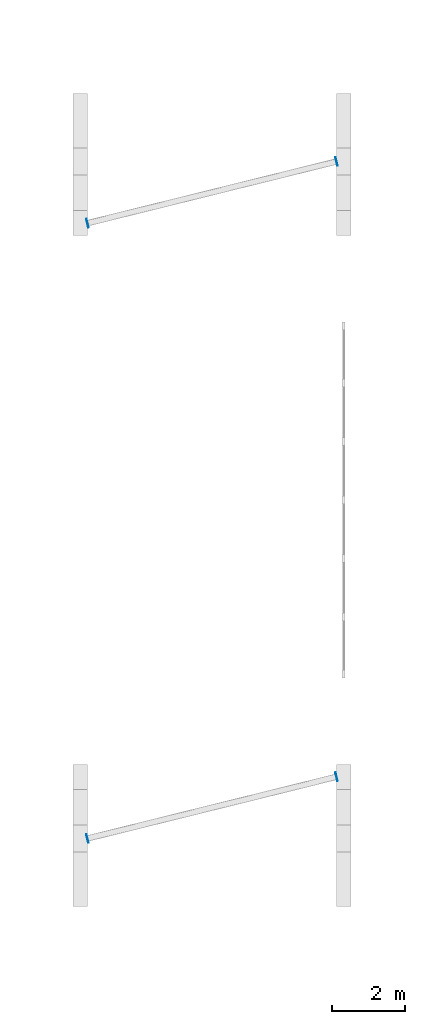
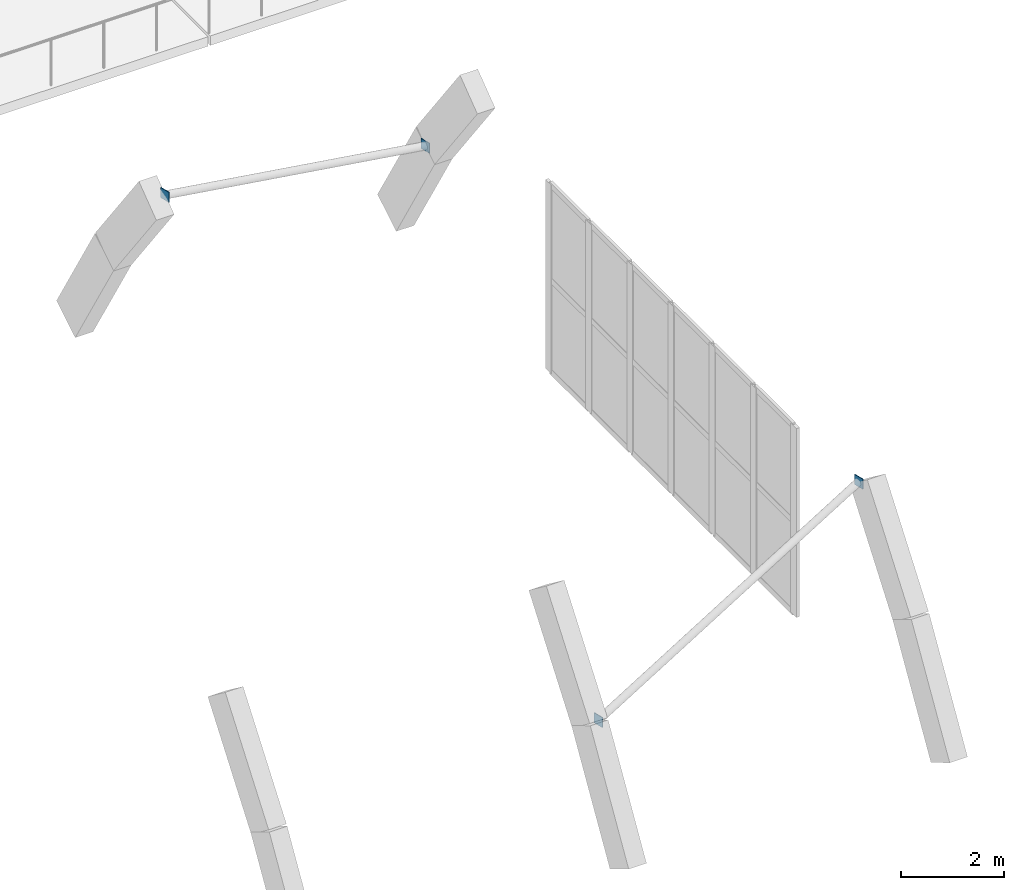
# One storey, part 45 of 85: 4 plates.
"""IFC4 building model written with IfcOpenShell, lengths in metres."""

from ifc_helpers import new_model, si_unit, direction, frame, origin, origin_2d, place, context, subcontext, project, spatial, rectangle, extrude, material, layer, layer_set, type_object, element, save


model = new_model("IFC4")

# Units and contexts
model_context = context("Model", 3, precision=1e-05, world=origin(), true_north=direction((0.0, 1.0)))
body_context = subcontext(model_context, "Body", "Model", "MODEL_VIEW")
ifc_project = project(units=[si_unit("LENGTHUNIT", "METRE"), si_unit("AREAUNIT", "SQUARE_METRE"), si_unit("VOLUMEUNIT", "CUBIC_METRE"), si_unit("PLANEANGLEUNIT", "RADIAN"), si_unit("MASSUNIT", "GRAM", prefix="KILO")], contexts=[model_context])

# Site, building, storey
site_placement = place(None, origin())
site = spatial("IfcSite", under=ifc_project, at=site_placement, CompositionType="ELEMENT")
building_placement = place(site_placement, origin())
building = spatial("IfcBuilding", under=site, at=building_placement, Name="Ochrevale Crest", CompositionType="ELEMENT")
storey_placement = place(building_placement, frame((0.0, 0.0, 4.5)))
storey = spatial("IfcBuildingStorey", under=building, at=storey_placement, Name="L01", CompositionType="ELEMENT", Elevation=4.5)

# Plates
ifc_material = material(Name="Steel S355", Category="steel")
ifc_layer = layer(ifc_material, 0.01611328125)
ifc_layer_set = layer_set([ifc_layer], Name="Steel S355")
plate_type = type_object("IfcPlateType", Name="PLT-CAP-16", PredefinedType="USERDEFINED", material=ifc_layer_set)
for number, where, z_axis, x_axis, name in (
    (1, (100.99267578125, 44.739013671875, 2.65185546875), (0.0, 0.0, 1.0), (0.970632567035, 0.240566871809, 0.0), "Community Hall vault CHS lateral brace B7-1 welded end cap plate CS"),
    (2, (107.807373046875, 46.427978515625, 4.8955078125), (0.0, 0.0, 1.0), (0.970632567035, 0.240566871809, 0.0), "Community Hall vault CHS lateral brace B7-1 welded end cap plate CE"),
    (3, (100.99267578125, 61.572021484375, 4.8955078125), (0.0, 0.0, 1.0), (0.970632567035, 0.240566871809, 0.0), "Community Hall vault CHS lateral brace B7-8 welded end cap plate CS"),
    (4, (107.807373046875, 63.260986328125, 2.65185546875), (0.0, 0.0, 1.0), (0.970632567035, 0.240566871809, 0.0), "Community Hall vault CHS lateral brace B7-8 welded end cap plate CE"),
):
    element("IfcPlate", number, at=place(storey_placement, frame(where, z_axis=z_axis, x_axis=x_axis)), inside=storey, type_object=plate_type, Name=name, ObjectType="CAP PLATE", PredefinedType="USERDEFINED", context=body_context, shape_type="SweptSolid", body=[
        extrude(rectangle(XDim=0.01611328125, YDim=0.239990234375, at=origin_2d()), origin(), (0.0, 0.0, 1.0), 0.239990234375),
    ])

save(model, "model.ifc")
